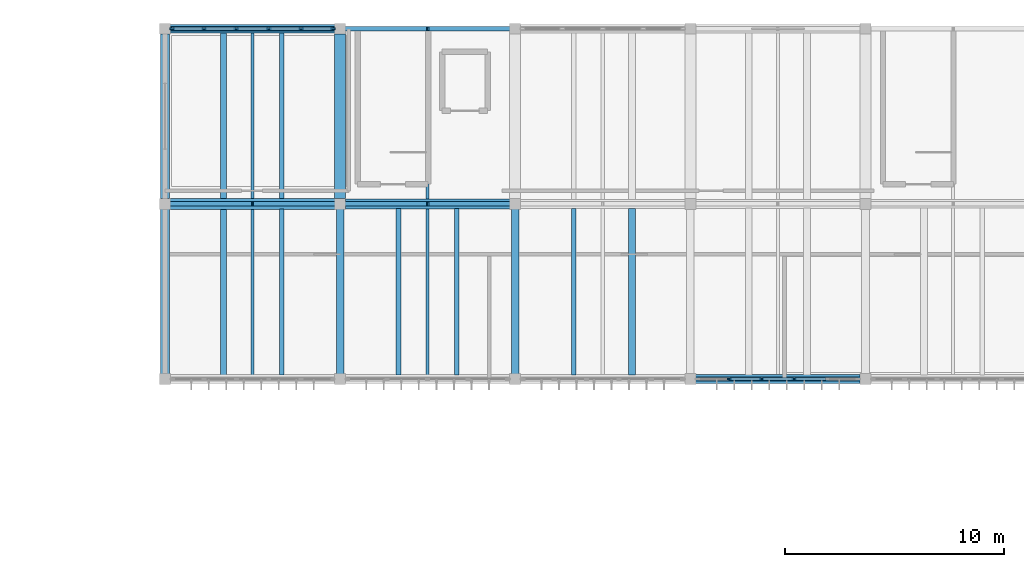
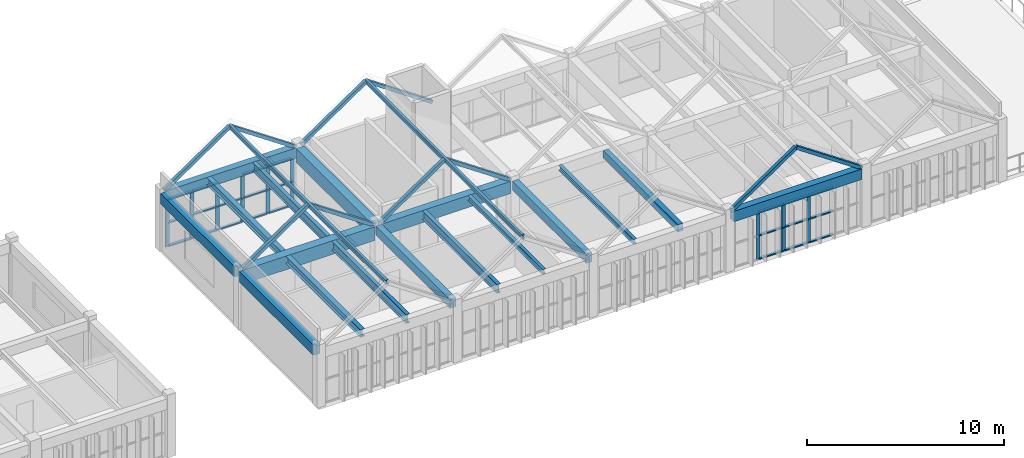
# One storey, part 11 of 31: 45 members, 17 beams, 2 elements without a shape of their own.
"""IFC4 building model written with IfcOpenShell, lengths in metres."""

from ifc_helpers import new_model, si_unit, direction, frame, origin, origin_2d, place, context, subcontext, project, spatial, rectangle, hollow_rectangle, i_section, extrude, material, material_profile, profile_set, type_object, element, aggregate, save


model = new_model("IFC4")

# Units and contexts
model_context = context("Model", 3, precision=1e-05, world=origin(), true_north=direction((0.0, 1.0)))
body_context = subcontext(model_context, "Body", "Model", "MODEL_VIEW")
ifc_project = project(units=[si_unit("LENGTHUNIT", "METRE"), si_unit("AREAUNIT", "SQUARE_METRE"), si_unit("VOLUMEUNIT", "CUBIC_METRE"), si_unit("PLANEANGLEUNIT", "RADIAN"), si_unit("MASSUNIT", "GRAM", prefix="KILO")], contexts=[model_context])

# Site, building, storey
site_placement = place(None, origin())
site = spatial("IfcSite", under=ifc_project, at=site_placement, CompositionType="ELEMENT")
building_placement = place(site_placement, origin())
building = spatial("IfcBuilding", under=site, at=building_placement, Name="Tlaxcora Railside Police Headquarters", CompositionType="ELEMENT")
storey_placement = place(building_placement, frame((0.0, 0.0, 18.0)))
storey = spatial("IfcBuildingStorey", under=building, at=storey_placement, Name="L04", CompositionType="ELEMENT", Elevation=18.0)

# Curtain wall, members
ifc_material_1 = material(Name="Thermally broken low-E insulated glazing", Category="glass")
curtain_wall_type_1 = type_object("IfcCurtainWallType", Name="Unitised Curtain Wall Assembly CW-23", PredefinedType="NOTDEFINED", material=ifc_material_1)
curtain_wall_1_placement = place(storey_placement, origin())
curtain_wall_1 = element("IfcCurtainWall", 1, at=curtain_wall_1_placement, inside=storey, type_object=curtain_wall_type_1, Name="V6 L04 curtain wall 176", PredefinedType="NOTDEFINED")
ifc_material_2 = material(Name="Anodised aluminium framing", Category="aluminium")
ifc_material_profile_1 = material_profile(ifc_material_2, rectangle(XDim=0.080078125, YDim=0.219970703125, at=origin_2d()), Name="AL80X220")
ifc_profile_set_1 = profile_set([ifc_material_profile_1], Name="Anodised aluminium framing")
member_type_1 = type_object("IfcMemberType", Name="Curtain Wall Mullion CW-31", PredefinedType="MULLION", material=ifc_profile_set_1)
member_1_placement = place(storey_placement, frame((110.4599609375, 92.800048828125, 0.0), z_axis=(0.0, 0.0, 1.0), x_axis=(0.0, -1.0, 0.0)))
member_1 = element("IfcMember", 2, at=member_1_placement, type_object=member_type_1, Name="CW mullion 1", PredefinedType="MULLION", context=body_context, shape_type="SweptSolid", body=[
    extrude(rectangle(XDim=0.080078125, YDim=0.219970703125, at=origin_2d()), origin(), (0.0, 0.0, 1.0), 2.9599609375),
])
member_2_placement = place(storey_placement, frame((109.02001953125, 92.800048828125, 0.0), z_axis=(0.0, 0.0, 1.0), x_axis=(0.0, -1.0, 0.0)))
member_2 = element("IfcMember", 3, at=member_2_placement, type_object=member_type_1, Name="CW mullion 2", PredefinedType="MULLION", context=body_context, shape_type="SweptSolid", body=[
    extrude(rectangle(XDim=0.080078125, YDim=0.219970703125, at=origin_2d()), origin(), (0.0, 0.0, 1.0), 2.9599609375),
])
member_3_placement = place(storey_placement, frame((107.5400390625, 92.800048828125, 0.0), z_axis=(0.0, 0.0, 1.0), x_axis=(0.0, -1.0, 0.0)))
member_3 = element("IfcMember", 4, at=member_3_placement, type_object=member_type_1, Name="CW mullion 3", PredefinedType="MULLION", context=body_context, shape_type="SweptSolid", body=[
    extrude(rectangle(XDim=0.080078125, YDim=0.219970703125, at=origin_2d()), origin(), (0.0, 0.0, 1.0), 2.9599609375),
])
member_4_placement = place(storey_placement, frame((106.06005859375, 92.800048828125, 0.0), z_axis=(0.0, 0.0, 1.0), x_axis=(0.0, -1.0, 0.0)))
member_4 = element("IfcMember", 5, at=member_4_placement, type_object=member_type_1, Name="CW mullion 4", PredefinedType="MULLION", context=body_context, shape_type="SweptSolid", body=[
    extrude(rectangle(XDim=0.080078125, YDim=0.219970703125, at=origin_2d()), origin(), (0.0, 0.0, 1.0), 2.9599609375),
])
member_5_placement = place(storey_placement, frame((104.580078125, 92.800048828125, 0.0), z_axis=(0.0, 0.0, 1.0), x_axis=(0.0, -1.0, 0.0)))
member_5 = element("IfcMember", 6, at=member_5_placement, type_object=member_type_1, Name="CW mullion 5", PredefinedType="MULLION", context=body_context, shape_type="SweptSolid", body=[
    extrude(rectangle(XDim=0.080078125, YDim=0.219970703125, at=origin_2d()), origin(), (0.0, 0.0, 1.0), 2.9599609375),
])
member_6_placement = place(storey_placement, frame((103.139892578125, 92.800048828125, 0.0), z_axis=(0.0, 0.0, 1.0), x_axis=(0.0, -1.0, 0.0)))
member_6 = element("IfcMember", 7, at=member_6_placement, type_object=member_type_1, Name="CW mullion 6", PredefinedType="MULLION", context=body_context, shape_type="SweptSolid", body=[
    extrude(rectangle(XDim=0.080078125, YDim=0.219970703125, at=origin_2d()), origin(), (0.0, 0.0, 1.0), 2.9599609375),
])

curtain_wall_type_2 = type_object("IfcCurtainWallType", Name="Unitised Curtain Wall Assembly CW-38", PredefinedType="NOTDEFINED", material=ifc_material_1)
curtain_wall_2_placement = place(storey_placement, origin())
curtain_wall_2 = element("IfcCurtainWall", 8, at=curtain_wall_2_placement, inside=storey, type_object=curtain_wall_type_2, Name="V6 L04 curtain wall 173", PredefinedType="NOTDEFINED")
ifc_material_profile_2 = material_profile(ifc_material_2, rectangle(XDim=0.074951171875, YDim=0.205078125, at=origin_2d()), Name="AL75X205")
ifc_profile_set_2 = profile_set([ifc_material_profile_2], Name="Anodised aluminium framing")
member_type_2 = type_object("IfcMemberType", Name="Curtain Wall Mullion CW-32", PredefinedType="MULLION", material=ifc_profile_set_2)
member_7_placement = place(storey_placement, frame((128.580078125, 76.800048828125, 0.0), z_axis=(0.0, 0.0, 1.0), x_axis=(0.0, 1.0, 0.0)))
member_7 = element("IfcMember", 9, at=member_7_placement, type_object=member_type_2, Name="CW mullion 2", PredefinedType="MULLION", context=body_context, shape_type="SweptSolid", body=[
    extrude(rectangle(XDim=0.074951171875, YDim=0.205078125, at=origin_2d()), origin(), (0.0, 0.0, 1.0), 2.9599609375),
])
member_8_placement = place(storey_placement, frame((130.06005859375, 76.800048828125, 0.0), z_axis=(0.0, 0.0, 1.0), x_axis=(0.0, 1.0, 0.0)))
member_8 = element("IfcMember", 10, at=member_8_placement, type_object=member_type_2, Name="CW mullion 3", PredefinedType="MULLION", context=body_context, shape_type="SweptSolid", body=[
    extrude(rectangle(XDim=0.074951171875, YDim=0.205078125, at=origin_2d()), origin(), (0.0, 0.0, 1.0), 2.9599609375),
])
member_9_placement = place(storey_placement, frame((131.5400390625, 76.800048828125, 0.0), z_axis=(0.0, 0.0, 1.0), x_axis=(0.0, 1.0, 0.0)))
member_9 = element("IfcMember", 11, at=member_9_placement, type_object=member_type_2, Name="CW mullion 4", PredefinedType="MULLION", context=body_context, shape_type="SweptSolid", body=[
    extrude(rectangle(XDim=0.074951171875, YDim=0.205078125, at=origin_2d()), origin(), (0.0, 0.0, 1.0), 2.9599609375),
])
ifc_material_profile_3 = material_profile(ifc_material_2, rectangle(XDim=0.155029296875, YDim=0.074951171875, at=origin_2d()), Name="AL75X155")
ifc_profile_set_3 = profile_set([ifc_material_profile_3], Name="Anodised aluminium framing")
member_type_3 = type_object("IfcMemberType", Name="Curtain Wall Transom CW-30", PredefinedType="USERDEFINED", material=ifc_profile_set_3)
member_10_placement = place(storey_placement, frame((128.617431640625, 76.800048828125, 0.03759765625), z_axis=(1.0, 0.0, 0.0), x_axis=(0.0, 1.0, 0.0)))
member_10 = element("IfcMember", 12, at=member_10_placement, type_object=member_type_3, Name="CW transom 2.1", ObjectType="TRANSOM", PredefinedType="USERDEFINED", context=body_context, shape_type="SweptSolid", body=[
    extrude(rectangle(XDim=0.155029296875, YDim=0.074951171875, at=origin_2d()), origin(), (0.0, 0.0, 1.0), 1.405029296875),
])
member_11_placement = place(storey_placement, frame((128.617431640625, 76.800048828125, 1.489990234375), z_axis=(1.0, 0.0, 0.0), x_axis=(0.0, 1.0, 0.0)))
member_11 = element("IfcMember", 13, at=member_11_placement, type_object=member_type_3, Name="CW transom 2.2", ObjectType="TRANSOM", PredefinedType="USERDEFINED", context=body_context, shape_type="SweptSolid", body=[
    extrude(rectangle(XDim=0.155029296875, YDim=0.074951171875, at=origin_2d()), origin(), (0.0, 0.0, 1.0), 1.405029296875),
])
member_12_placement = place(storey_placement, frame((128.617431640625, 76.800048828125, 2.922607421875), z_axis=(1.0, 0.0, 0.0), x_axis=(0.0, 1.0, 0.0)))
member_12 = element("IfcMember", 14, at=member_12_placement, type_object=member_type_3, Name="CW transom 2.3", ObjectType="TRANSOM", PredefinedType="USERDEFINED", context=body_context, shape_type="SweptSolid", body=[
    extrude(rectangle(XDim=0.155029296875, YDim=0.074951171875, at=origin_2d()), origin(), (0.0, 0.0, 1.0), 1.405029296875),
])
member_13_placement = place(storey_placement, frame((130.097412109375, 76.800048828125, 0.03759765625), z_axis=(1.0, 0.0, 0.0), x_axis=(0.0, 1.0, 0.0)))
member_13 = element("IfcMember", 15, at=member_13_placement, type_object=member_type_3, Name="CW transom 3.1", ObjectType="TRANSOM", PredefinedType="USERDEFINED", context=body_context, shape_type="SweptSolid", body=[
    extrude(rectangle(XDim=0.155029296875, YDim=0.074951171875, at=origin_2d()), origin(), (0.0, 0.0, 1.0), 1.405029296875),
])
member_14_placement = place(storey_placement, frame((130.097412109375, 76.800048828125, 1.489990234375), z_axis=(1.0, 0.0, 0.0), x_axis=(0.0, 1.0, 0.0)))
member_14 = element("IfcMember", 16, at=member_14_placement, type_object=member_type_3, Name="CW transom 3.2", ObjectType="TRANSOM", PredefinedType="USERDEFINED", context=body_context, shape_type="SweptSolid", body=[
    extrude(rectangle(XDim=0.155029296875, YDim=0.074951171875, at=origin_2d()), origin(), (0.0, 0.0, 1.0), 1.405029296875),
])
member_15_placement = place(storey_placement, frame((130.097412109375, 76.800048828125, 2.922607421875), z_axis=(1.0, 0.0, 0.0), x_axis=(0.0, 1.0, 0.0)))
member_15 = element("IfcMember", 17, at=member_15_placement, type_object=member_type_3, Name="CW transom 3.3", ObjectType="TRANSOM", PredefinedType="USERDEFINED", context=body_context, shape_type="SweptSolid", body=[
    extrude(rectangle(XDim=0.155029296875, YDim=0.074951171875, at=origin_2d()), origin(), (0.0, 0.0, 1.0), 1.405029296875),
])
member_16_placement = place(storey_placement, frame((131.577392578125, 76.800048828125, 0.03759765625), z_axis=(1.0, 0.0, 0.0), x_axis=(0.0, 1.0, 0.0)))
member_16 = element("IfcMember", 18, at=member_16_placement, type_object=member_type_3, Name="CW transom 4.1", ObjectType="TRANSOM", PredefinedType="USERDEFINED", context=body_context, shape_type="SweptSolid", body=[
    extrude(rectangle(XDim=0.155029296875, YDim=0.074951171875, at=origin_2d()), origin(), (0.0, 0.0, 1.0), 1.405029296875),
])
member_17_placement = place(storey_placement, frame((131.577392578125, 76.800048828125, 1.489990234375), z_axis=(1.0, 0.0, 0.0), x_axis=(0.0, 1.0, 0.0)))
member_17 = element("IfcMember", 19, at=member_17_placement, type_object=member_type_3, Name="CW transom 4.2", ObjectType="TRANSOM", PredefinedType="USERDEFINED", context=body_context, shape_type="SweptSolid", body=[
    extrude(rectangle(XDim=0.155029296875, YDim=0.074951171875, at=origin_2d()), origin(), (0.0, 0.0, 1.0), 1.405029296875),
])
member_18_placement = place(storey_placement, frame((131.577392578125, 76.800048828125, 2.922607421875), z_axis=(1.0, 0.0, 0.0), x_axis=(0.0, 1.0, 0.0)))
member_18 = element("IfcMember", 20, at=member_18_placement, type_object=member_type_3, Name="CW transom 4.3", ObjectType="TRANSOM", PredefinedType="USERDEFINED", context=body_context, shape_type="SweptSolid", body=[
    extrude(rectangle(XDim=0.155029296875, YDim=0.074951171875, at=origin_2d()), origin(), (0.0, 0.0, 1.0), 1.405029296875),
])
aggregate(curtain_wall_2, [member_7, member_8, member_9, member_10, member_11, member_12, member_13, member_14, member_15, member_16, member_17, member_18])

# Member
ifc_material_profile_4 = material_profile(ifc_material_2, rectangle(XDim=0.1650390625, YDim=0.080078125, at=origin_2d()), Name="AL80X165")
ifc_profile_set_4 = profile_set([ifc_material_profile_4], Name="Anodised aluminium framing")
member_type_4 = type_object("IfcMemberType", Name="Curtain Wall Transom CW-62", PredefinedType="USERDEFINED", material=ifc_profile_set_4)
member_19_placement = place(storey_placement, frame((110.419921875, 92.800048828125, 0.0400390625), z_axis=(-1.0, 0.0, 0.0), x_axis=(0.0, -1.0, 0.0)))
member_19 = element("IfcMember", 21, at=member_19_placement, type_object=member_type_4, Name="CW transom 1.1", ObjectType="TRANSOM", PredefinedType="USERDEFINED", context=body_context, shape_type="SweptSolid", body=[
    extrude(rectangle(XDim=0.1650390625, YDim=0.080078125, at=origin_2d()), origin(), (0.0, 0.0, 1.0), 1.35986328125),
])

member_20_placement = place(storey_placement, frame((110.419921875, 92.800048828125, 1.489990234375), z_axis=(-1.0, 0.0, 0.0), x_axis=(0.0, -1.0, 0.0)))
member_20 = element("IfcMember", 22, at=member_20_placement, type_object=member_type_4, Name="CW transom 1.2", ObjectType="TRANSOM", PredefinedType="USERDEFINED", context=body_context, shape_type="SweptSolid", body=[
    extrude(rectangle(XDim=0.1650390625, YDim=0.080078125, at=origin_2d()), origin(), (0.0, 0.0, 1.0), 1.35986328125),
])

member_21_placement = place(storey_placement, frame((110.419921875, 92.800048828125, 2.919921875), z_axis=(-1.0, 0.0, 0.0), x_axis=(0.0, -1.0, 0.0)))
member_21 = element("IfcMember", 23, at=member_21_placement, type_object=member_type_4, Name="CW transom 1.3", ObjectType="TRANSOM", PredefinedType="USERDEFINED", context=body_context, shape_type="SweptSolid", body=[
    extrude(rectangle(XDim=0.1650390625, YDim=0.080078125, at=origin_2d()), origin(), (0.0, 0.0, 1.0), 1.35986328125),
])

member_22_placement = place(storey_placement, frame((108.97998046875, 92.800048828125, 0.0400390625), z_axis=(-1.0, 0.0, 0.0), x_axis=(0.0, -1.0, 0.0)))
member_22 = element("IfcMember", 24, at=member_22_placement, type_object=member_type_4, Name="CW transom 2.1", ObjectType="TRANSOM", PredefinedType="USERDEFINED", context=body_context, shape_type="SweptSolid", body=[
    extrude(rectangle(XDim=0.1650390625, YDim=0.080078125, at=origin_2d()), origin(), (0.0, 0.0, 1.0), 1.39990234375),
])

member_23_placement = place(storey_placement, frame((108.97998046875, 92.800048828125, 1.489990234375), z_axis=(-1.0, 0.0, 0.0), x_axis=(0.0, -1.0, 0.0)))
member_23 = element("IfcMember", 25, at=member_23_placement, type_object=member_type_4, Name="CW transom 2.2", ObjectType="TRANSOM", PredefinedType="USERDEFINED", context=body_context, shape_type="SweptSolid", body=[
    extrude(rectangle(XDim=0.1650390625, YDim=0.080078125, at=origin_2d()), origin(), (0.0, 0.0, 1.0), 1.39990234375),
])

member_24_placement = place(storey_placement, frame((108.97998046875, 92.800048828125, 2.919921875), z_axis=(-1.0, 0.0, 0.0), x_axis=(0.0, -1.0, 0.0)))
member_24 = element("IfcMember", 26, at=member_24_placement, type_object=member_type_4, Name="CW transom 2.3", ObjectType="TRANSOM", PredefinedType="USERDEFINED", context=body_context, shape_type="SweptSolid", body=[
    extrude(rectangle(XDim=0.1650390625, YDim=0.080078125, at=origin_2d()), origin(), (0.0, 0.0, 1.0), 1.39990234375),
])

member_25_placement = place(storey_placement, frame((107.5, 92.800048828125, 0.0400390625), z_axis=(-1.0, 0.0, 0.0), x_axis=(0.0, -1.0, 0.0)))
member_25 = element("IfcMember", 27, at=member_25_placement, type_object=member_type_4, Name="CW transom 3.1", ObjectType="TRANSOM", PredefinedType="USERDEFINED", context=body_context, shape_type="SweptSolid", body=[
    extrude(rectangle(XDim=0.1650390625, YDim=0.080078125, at=origin_2d()), origin(), (0.0, 0.0, 1.0), 1.39990234375),
])

member_26_placement = place(storey_placement, frame((107.5, 92.800048828125, 1.489990234375), z_axis=(-1.0, 0.0, 0.0), x_axis=(0.0, -1.0, 0.0)))
member_26 = element("IfcMember", 28, at=member_26_placement, type_object=member_type_4, Name="CW transom 3.2", ObjectType="TRANSOM", PredefinedType="USERDEFINED", context=body_context, shape_type="SweptSolid", body=[
    extrude(rectangle(XDim=0.1650390625, YDim=0.080078125, at=origin_2d()), origin(), (0.0, 0.0, 1.0), 1.39990234375),
])

member_27_placement = place(storey_placement, frame((107.5, 92.800048828125, 2.919921875), z_axis=(-1.0, 0.0, 0.0), x_axis=(0.0, -1.0, 0.0)))
member_27 = element("IfcMember", 29, at=member_27_placement, type_object=member_type_4, Name="CW transom 3.3", ObjectType="TRANSOM", PredefinedType="USERDEFINED", context=body_context, shape_type="SweptSolid", body=[
    extrude(rectangle(XDim=0.1650390625, YDim=0.080078125, at=origin_2d()), origin(), (0.0, 0.0, 1.0), 1.39990234375),
])

member_28_placement = place(storey_placement, frame((106.02001953125, 92.800048828125, 0.0400390625), z_axis=(-1.0, 0.0, 0.0), x_axis=(0.0, -1.0, 0.0)))
member_28 = element("IfcMember", 30, at=member_28_placement, type_object=member_type_4, Name="CW transom 4.1", ObjectType="TRANSOM", PredefinedType="USERDEFINED", context=body_context, shape_type="SweptSolid", body=[
    extrude(rectangle(XDim=0.1650390625, YDim=0.080078125, at=origin_2d()), origin(), (0.0, 0.0, 1.0), 1.39990234375),
])

member_29_placement = place(storey_placement, frame((106.02001953125, 92.800048828125, 1.489990234375), z_axis=(-1.0, 0.0, 0.0), x_axis=(0.0, -1.0, 0.0)))
member_29 = element("IfcMember", 31, at=member_29_placement, type_object=member_type_4, Name="CW transom 4.2", ObjectType="TRANSOM", PredefinedType="USERDEFINED", context=body_context, shape_type="SweptSolid", body=[
    extrude(rectangle(XDim=0.1650390625, YDim=0.080078125, at=origin_2d()), origin(), (0.0, 0.0, 1.0), 1.39990234375),
])

member_30_placement = place(storey_placement, frame((106.02001953125, 92.800048828125, 2.919921875), z_axis=(-1.0, 0.0, 0.0), x_axis=(0.0, -1.0, 0.0)))
member_30 = element("IfcMember", 32, at=member_30_placement, type_object=member_type_4, Name="CW transom 4.3", ObjectType="TRANSOM", PredefinedType="USERDEFINED", context=body_context, shape_type="SweptSolid", body=[
    extrude(rectangle(XDim=0.1650390625, YDim=0.080078125, at=origin_2d()), origin(), (0.0, 0.0, 1.0), 1.39990234375),
])

member_31_placement = place(storey_placement, frame((104.5400390625, 92.800048828125, 0.0400390625), z_axis=(-1.0, 0.0, 0.0), x_axis=(0.0, -1.0, 0.0)))
member_31 = element("IfcMember", 33, at=member_31_placement, type_object=member_type_4, Name="CW transom 5.1", ObjectType="TRANSOM", PredefinedType="USERDEFINED", context=body_context, shape_type="SweptSolid", body=[
    extrude(rectangle(XDim=0.1650390625, YDim=0.080078125, at=origin_2d()), origin(), (0.0, 0.0, 1.0), 1.360107421875),
])

member_32_placement = place(storey_placement, frame((104.5400390625, 92.800048828125, 1.489990234375), z_axis=(-1.0, 0.0, 0.0), x_axis=(0.0, -1.0, 0.0)))
member_32 = element("IfcMember", 34, at=member_32_placement, type_object=member_type_4, Name="CW transom 5.2", ObjectType="TRANSOM", PredefinedType="USERDEFINED", context=body_context, shape_type="SweptSolid", body=[
    extrude(rectangle(XDim=0.1650390625, YDim=0.080078125, at=origin_2d()), origin(), (0.0, 0.0, 1.0), 1.360107421875),
])

member_33_placement = place(storey_placement, frame((104.5400390625, 92.800048828125, 2.919921875), z_axis=(-1.0, 0.0, 0.0), x_axis=(0.0, -1.0, 0.0)))
member_33 = element("IfcMember", 35, at=member_33_placement, type_object=member_type_4, Name="CW transom 5.3", ObjectType="TRANSOM", PredefinedType="USERDEFINED", context=body_context, shape_type="SweptSolid", body=[
    extrude(rectangle(XDim=0.1650390625, YDim=0.080078125, at=origin_2d()), origin(), (0.0, 0.0, 1.0), 1.360107421875),
])

aggregate(curtain_wall_1, [member_1, member_2, member_3, member_4, member_5, member_6, member_19, member_20, member_21, member_22, member_23, member_24, member_25, member_26, member_27, member_28, member_29, member_30, member_31, member_32, member_33])

# Members
ifc_material_3 = material(Name="Steel ASTM A992 Grade 50", Category="steel")
ifc_material_profile_5 = material_profile(ifc_material_3, hollow_rectangle(XDim=0.199951171875, YDim=0.199951171875, WallThickness=0.010009765625, at=origin_2d()), Name="HSS200X200X10")
ifc_profile_set_5 = profile_set([ifc_material_profile_5], Name="Steel ASTM A992 Grade 50")
member_type_5 = type_object("IfcMemberType", Name="Diagonal Brace Member MB-51", PredefinedType="BRACE", material=ifc_profile_set_5)
member_34_placement = place(storey_placement, frame((102.949951171875, 84.800048828125, 3.580078125), z_axis=(0.826746068504, 0.0, 0.562575273375), x_axis=(0.0, 1.0, 0.0)))
element("IfcMember", 36, at=member_34_placement, inside=storey, type_object=member_type_5, Name="V6 rafter 1W", PredefinedType="BRACE", context=body_context, shape_type="SweptSolid", body=[
    extrude(hollow_rectangle(XDim=0.199951171875, YDim=0.199951171875, WallThickness=0.010009765625, at=origin_2d()), origin(), (0.0, 0.0, 1.0), 4.656982421875),
])
member_35_placement = place(storey_placement, frame((110.64990234375, 84.800048828125, 3.580078125), z_axis=(-0.826729475311, 0.0, 0.562599657529), x_axis=(0.0, -1.0, 0.0)))
element("IfcMember", 37, at=member_35_placement, inside=storey, type_object=member_type_5, Name="V6 rafter 1E", PredefinedType="BRACE", context=body_context, shape_type="SweptSolid", body=[
    extrude(hollow_rectangle(XDim=0.199951171875, YDim=0.199951171875, WallThickness=0.010009765625, at=origin_2d()), origin(), (0.0, 0.0, 1.0), 4.65673828125),
])
member_36_placement = place(storey_placement, frame((102.949951171875, 92.800048828125, 3.580078125), z_axis=(0.826746068504, 0.0, 0.562575273375), x_axis=(0.0, 1.0, 0.0)))
element("IfcMember", 38, at=member_36_placement, inside=storey, type_object=member_type_5, Name="V6 rafter 1W", PredefinedType="BRACE", context=body_context, shape_type="SweptSolid", body=[
    extrude(hollow_rectangle(XDim=0.199951171875, YDim=0.199951171875, WallThickness=0.010009765625, at=origin_2d()), origin(), (0.0, 0.0, 1.0), 4.656982421875),
])
member_37_placement = place(storey_placement, frame((110.64990234375, 92.800048828125, 3.580078125), z_axis=(-0.826729475311, 0.0, 0.562599657529), x_axis=(0.0, -1.0, 0.0)))
element("IfcMember", 39, at=member_37_placement, inside=storey, type_object=member_type_5, Name="V6 rafter 1E", PredefinedType="BRACE", context=body_context, shape_type="SweptSolid", body=[
    extrude(hollow_rectangle(XDim=0.199951171875, YDim=0.199951171875, WallThickness=0.010009765625, at=origin_2d()), origin(), (0.0, 0.0, 1.0), 4.65673828125),
])
member_38_placement = place(storey_placement, frame((110.949951171875, 84.800048828125, 3.580078125), z_axis=(0.826746068504, 0.0, 0.562575273375), x_axis=(0.0, 1.0, 0.0)))
element("IfcMember", 40, at=member_38_placement, inside=storey, type_object=member_type_5, Name="V6 rafter 2W", PredefinedType="BRACE", context=body_context, shape_type="SweptSolid", body=[
    extrude(hollow_rectangle(XDim=0.199951171875, YDim=0.199951171875, WallThickness=0.010009765625, at=origin_2d()), origin(), (0.0, 0.0, 1.0), 4.656982421875),
])
member_39_placement = place(storey_placement, frame((118.64990234375, 84.800048828125, 3.580078125), z_axis=(-0.826729475311, 0.0, 0.562599657529), x_axis=(0.0, -1.0, 0.0)))
element("IfcMember", 41, at=member_39_placement, inside=storey, type_object=member_type_5, Name="V6 rafter 2E", PredefinedType="BRACE", context=body_context, shape_type="SweptSolid", body=[
    extrude(hollow_rectangle(XDim=0.199951171875, YDim=0.199951171875, WallThickness=0.010009765625, at=origin_2d()), origin(), (0.0, 0.0, 1.0), 4.65673828125),
])
member_40_placement = place(storey_placement, frame((110.949951171875, 92.800048828125, 3.580078125), z_axis=(0.826746068504, 0.0, 0.562575273375), x_axis=(0.0, 1.0, 0.0)))
element("IfcMember", 42, at=member_40_placement, inside=storey, type_object=member_type_5, Name="V6 rafter 2W", PredefinedType="BRACE", context=body_context, shape_type="SweptSolid", body=[
    extrude(hollow_rectangle(XDim=0.199951171875, YDim=0.199951171875, WallThickness=0.010009765625, at=origin_2d()), origin(), (0.0, 0.0, 1.0), 4.656982421875),
])
member_41_placement = place(storey_placement, frame((118.64990234375, 92.800048828125, 3.580078125), z_axis=(-0.826729475311, 0.0, 0.562599657529), x_axis=(0.0, -1.0, 0.0)))
element("IfcMember", 43, at=member_41_placement, inside=storey, type_object=member_type_5, Name="V6 rafter 2E", PredefinedType="BRACE", context=body_context, shape_type="SweptSolid", body=[
    extrude(hollow_rectangle(XDim=0.199951171875, YDim=0.199951171875, WallThickness=0.010009765625, at=origin_2d()), origin(), (0.0, 0.0, 1.0), 4.65673828125),
])
member_42_placement = place(storey_placement, frame((126.949951171875, 76.800048828125, 3.580078125), z_axis=(0.826746068504, 0.0, 0.562575273375), x_axis=(0.0, 1.0, 0.0)))
element("IfcMember", 44, at=member_42_placement, inside=storey, type_object=member_type_5, Name="V6 rafter 4W", PredefinedType="BRACE", context=body_context, shape_type="SweptSolid", body=[
    extrude(hollow_rectangle(XDim=0.199951171875, YDim=0.199951171875, WallThickness=0.010009765625, at=origin_2d()), origin(), (0.0, 0.0, 1.0), 4.656982421875),
])
member_43_placement = place(storey_placement, frame((134.64990234375, 76.800048828125, 3.580078125), z_axis=(-0.826729475311, 0.0, 0.562599657529), x_axis=(0.0, -1.0, 0.0)))
element("IfcMember", 45, at=member_43_placement, inside=storey, type_object=member_type_5, Name="V6 rafter 4E", PredefinedType="BRACE", context=body_context, shape_type="SweptSolid", body=[
    extrude(hollow_rectangle(XDim=0.199951171875, YDim=0.199951171875, WallThickness=0.010009765625, at=origin_2d()), origin(), (0.0, 0.0, 1.0), 4.65673828125),
])

# Beams
ifc_material_4 = material(Name="Concrete C40/50", Category="concrete")
ifc_material_profile_6 = material_profile(ifc_material_4, rectangle(XDim=0.39990234375, YDim=0.64990234375, at=origin_2d()), Name="RC400X650")
ifc_profile_set_6 = profile_set([ifc_material_profile_6], Name="Concrete C40/50")
beam_type_1 = type_object("IfcBeamType", Name="Perimeter Spandrel Beam BM-46", PredefinedType="SPANDREL", material=ifc_profile_set_6)
for number, where, z_axis, x_axis, name in (
    (46, (127.0400390625, 76.800048828125, 3.304931640625), (1.0, 0.0, 0.0), (0.0, 1.0, 0.0), "V6 L04 X-girder Y=76.8"),
    (47, (103.0400390625, 92.800048828125, 3.304931640625), (1.0, 0.0, 0.0), (0.0, 1.0, 0.0), "V6 L04 X-girder Y=92.8"),
    (48, (102.800048828125, 77.0400390625, 3.304931640625), (0.0, 1.0, 0.0), (-1.0, 0.0, 0.0), "V6 L04 Y-girder X=102.8"),
    (49, (102.800048828125, 85.0400390625, 3.304931640625), (0.0, 1.0, 0.0), (-1.0, 0.0, 0.0), "V6 L04 Y-girder X=102.8"),
):
    element("IfcBeam", number, at=place(storey_placement, frame(where, z_axis=z_axis, x_axis=x_axis)), inside=storey, type_object=beam_type_1, Name=name, PredefinedType="SPANDREL", context=body_context, shape_type="SweptSolid", body=[
        extrude(rectangle(XDim=0.39990234375, YDim=0.64990234375, at=origin_2d()), origin(), (0.0, 0.0, 1.0), 7.52001953125),
    ])
ifc_material_profile_7 = material_profile(ifc_material_4, rectangle(XDim=0.35009765625, YDim=0.550048828125, at=origin_2d()), Name="RC350X550")
ifc_profile_set_7 = profile_set([ifc_material_profile_7], Name="Concrete C40/50")
beam_type_2 = type_object("IfcBeamType", Name="Primary Frame Girder BM-39", PredefinedType="BEAM", material=ifc_profile_set_7)
for number, where, z_axis, x_axis, name in (
    (50, (110.800048828125, 77.0400390625, 3.35498046875), (0.0, 1.0, 0.0), (-1.0, 0.0, 0.0), "V6 L04 Y-girder X=110.8"),
    (51, (118.800048828125, 77.0400390625, 3.35498046875), (0.0, 1.0, 0.0), (-1.0, 0.0, 0.0), "V6 L04 Y-girder X=118.8"),
):
    element("IfcBeam", number, at=place(storey_placement, frame(where, z_axis=z_axis, x_axis=x_axis)), inside=storey, type_object=beam_type_2, Name=name, PredefinedType="BEAM", context=body_context, shape_type="SweptSolid", body=[
        extrude(rectangle(XDim=0.35009765625, YDim=0.550048828125, at=origin_2d()), origin(), (0.0, 0.0, 1.0), 7.52001953125),
    ])
ifc_material_profile_8 = material_profile(ifc_material_4, rectangle(XDim=0.5, YDim=0.85009765625, at=origin_2d()), Name="RC500X850")
ifc_profile_set_8 = profile_set([ifc_material_profile_8], Name="Concrete C40/50")
beam_type_3 = type_object("IfcBeamType", Name="Primary Frame Girder BM-64", PredefinedType="BEAM", material=ifc_profile_set_8)
for number, where, z_axis, x_axis, name in (
    (52, (103.0400390625, 84.800048828125, 3.205078125), (1.0, 0.0, 0.0), (0.0, 1.0, 0.0), "V6 L04 X-girder Y=84.8"),
    (53, (110.800048828125, 85.0400390625, 3.205078125), (0.0, 1.0, 0.0), (-1.0, 0.0, 0.0), "V6 L04 Y-girder X=110.8"),
):
    element("IfcBeam", number, at=place(storey_placement, frame(where, z_axis=z_axis, x_axis=x_axis)), inside=storey, type_object=beam_type_3, Name=name, PredefinedType="BEAM", context=body_context, shape_type="SweptSolid", body=[
        extrude(rectangle(XDim=0.5, YDim=0.85009765625, at=origin_2d()), origin(), (0.0, 0.0, 1.0), 7.52001953125),
    ])
ifc_material_profile_9 = material_profile(ifc_material_4, rectangle(XDim=0.449951171875, YDim=0.75, at=origin_2d()), Name="RC450X750")
ifc_profile_set_9 = profile_set([ifc_material_profile_9], Name="Concrete C40/50")
beam_type_4 = type_object("IfcBeamType", Name="Primary Frame Girder BM-73", PredefinedType="BEAM", material=ifc_profile_set_9)
beam_1_placement = place(storey_placement, frame((111.0400390625, 84.800048828125, 3.2548828125), z_axis=(1.0, 0.0, 0.0), x_axis=(0.0, 1.0, 0.0)))
element("IfcBeam", 54, at=beam_1_placement, inside=storey, type_object=beam_type_4, Name="V6 L04 X-girder Y=84.8", PredefinedType="BEAM", context=body_context, shape_type="SweptSolid", body=[
    extrude(rectangle(XDim=0.449951171875, YDim=0.75, at=origin_2d()), origin(), (0.0, 0.0, 1.0), 7.52001953125),
])

# Members
ifc_material_profile_10 = material_profile(ifc_material_3, i_section(OverallWidth=0.14599609375, OverallDepth=0.258056640625, WebThickness=0.006103515625, FlangeThickness=0.009033203125, at=origin_2d()), Name="W10X22")
ifc_profile_set_10 = profile_set([ifc_material_profile_10], Name="Steel ASTM A992 Grade 50")
member_type_6 = type_object("IfcMemberType", Name="Roof Purlin Member MB-93", PredefinedType="PURLIN", material=ifc_profile_set_10)
for number, where, z_axis, x_axis, name in (
    (55, (106.800048828125, 76.800048828125, 6.199951171875), (0.0, 1.0, 0.0), (-1.0, 0.0, 0.0), "V6 northlight ridge purlin 1"),
    (56, (114.800048828125, 76.800048828125, 6.199951171875), (0.0, 1.0, 0.0), (-1.0, 0.0, 0.0), "V6 northlight ridge purlin 2"),
):
    element("IfcMember", number, at=place(storey_placement, frame(where, z_axis=z_axis, x_axis=x_axis)), inside=storey, type_object=member_type_6, Name=name, PredefinedType="PURLIN", context=body_context, shape_type="SweptSolid", body=[
        extrude(i_section(OverallWidth=0.14599609375, OverallDepth=0.258056640625, WebThickness=0.006103515625, FlangeThickness=0.009033203125, at=origin_2d()), origin(), (0.0, 0.0, 1.0), 16.0),
    ])

# Beams
ifc_material_5 = material(Name="Concrete C35/45", Category="concrete")
ifc_material_profile_11 = material_profile(ifc_material_5, rectangle(XDim=0.300048828125, YDim=0.449951171875, at=origin_2d()), Name="RC300X450")
ifc_profile_set_11 = profile_set([ifc_material_profile_11], Name="Concrete C35/45")
beam_type_5 = type_object("IfcBeamType", Name="Secondary Floor Joist BM-27", PredefinedType="JOIST", material=ifc_profile_set_11)
beam_2_placement = place(storey_placement, frame((124.13330078125, 76.991943359375, 3.405029296875), z_axis=(0.0, 1.0, 0.0), x_axis=(-1.0, 0.0, 0.0)))
element("IfcBeam", 57, at=beam_2_placement, inside=storey, type_object=beam_type_5, Name="V6 L04 floor joist X=124.13", PredefinedType="JOIST", context=body_context, shape_type="SweptSolid", body=[
    extrude(rectangle(XDim=0.300048828125, YDim=0.449951171875, at=origin_2d()), origin(), (0.0, 0.0, 1.0), 7.60595703125),
])
ifc_material_profile_12 = material_profile(ifc_material_3, i_section(OverallWidth=0.280029296875, OverallDepth=0.4619140625, WebThickness=0.0107421875, FlangeThickness=0.017333984375, at=origin_2d()), Name="W18X76")
ifc_profile_set_12 = profile_set([ifc_material_profile_12], Name="Steel ASTM A992 Grade 50")
beam_type_6 = type_object("IfcBeamType", Name="Secondary Floor Joist BM-44", PredefinedType="JOIST", material=ifc_profile_set_12)
beam_3_placement = place(storey_placement, frame((105.466796875, 76.991943359375, 3.39892578125), z_axis=(0.0, 1.0, 0.0), x_axis=(-1.0, 0.0, 0.0)))
element("IfcBeam", 58, at=beam_3_placement, inside=storey, type_object=beam_type_6, Name="V6 L04 floor joist X=105.47", PredefinedType="JOIST", context=body_context, shape_type="SweptSolid", body=[
    extrude(i_section(OverallWidth=0.280029296875, OverallDepth=0.4619140625, WebThickness=0.0107421875, FlangeThickness=0.017333984375, at=origin_2d()), origin(), (0.0, 0.0, 1.0), 7.566162109375),
])
beam_4_placement = place(storey_placement, frame((105.466796875, 85.0419921875, 3.39892578125), z_axis=(0.0, 1.0, 0.0), x_axis=(-1.0, 0.0, 0.0)))
element("IfcBeam", 59, at=beam_4_placement, inside=storey, type_object=beam_type_6, Name="V6 L04 floor joist X=105.47", PredefinedType="JOIST", context=body_context, shape_type="SweptSolid", body=[
    extrude(i_section(OverallWidth=0.280029296875, OverallDepth=0.4619140625, WebThickness=0.0107421875, FlangeThickness=0.017333984375, at=origin_2d()), origin(), (0.0, 0.0, 1.0), 7.56591796875),
])
ifc_material_profile_13 = material_profile(ifc_material_3, i_section(OverallWidth=0.202880859375, OverallDepth=0.302978515625, WebThickness=0.007568359375, FlangeThickness=0.01318359375, at=origin_2d()), Name="W12X40")
ifc_profile_set_13 = profile_set([ifc_material_profile_13], Name="Steel ASTM A992 Grade 50")
beam_type_7 = type_object("IfcBeamType", Name="Secondary Floor Joist BM-96", PredefinedType="JOIST", material=ifc_profile_set_13)
beam_5_placement = place(storey_placement, frame((116.13330078125, 76.991943359375, 3.478515625), z_axis=(0.0, 1.0, 0.0), x_axis=(-1.0, 0.0, 0.0)))
element("IfcBeam", 60, at=beam_5_placement, inside=storey, type_object=beam_type_7, Name="V6 L04 floor joist X=116.13", PredefinedType="JOIST", context=body_context, shape_type="SweptSolid", body=[
    extrude(i_section(OverallWidth=0.202880859375, OverallDepth=0.302978515625, WebThickness=0.007568359375, FlangeThickness=0.01318359375, at=origin_2d()), origin(), (0.0, 0.0, 1.0), 7.591064453125),
])
beam_6_placement = place(storey_placement, frame((121.466796875, 76.991943359375, 3.478515625), z_axis=(0.0, 1.0, 0.0), x_axis=(-1.0, 0.0, 0.0)))
element("IfcBeam", 61, at=beam_6_placement, inside=storey, type_object=beam_type_7, Name="V6 L04 floor joist X=121.47", PredefinedType="JOIST", context=body_context, shape_type="SweptSolid", body=[
    extrude(i_section(OverallWidth=0.202880859375, OverallDepth=0.302978515625, WebThickness=0.007568359375, FlangeThickness=0.01318359375, at=origin_2d()), origin(), (0.0, 0.0, 1.0), 7.60595703125),
])
ifc_material_profile_14 = material_profile(ifc_material_3, i_section(OverallWidth=0.214111328125, OverallDepth=0.549072265625, WebThickness=0.0146484375, FlangeThickness=0.023681640625, at=origin_2d()), Name="W21X93")
ifc_profile_set_14 = profile_set([ifc_material_profile_14], Name="Steel ASTM A992 Grade 50")
beam_type_8 = type_object("IfcBeamType", Name="Secondary Floor Joist BM-97", PredefinedType="JOIST", material=ifc_profile_set_14)
beam_7_placement = place(storey_placement, frame((108.13330078125, 76.991943359375, 3.35546875), z_axis=(0.0, 1.0, 0.0), x_axis=(-1.0, 0.0, 0.0)))
element("IfcBeam", 62, at=beam_7_placement, inside=storey, type_object=beam_type_8, Name="V6 L04 floor joist X=108.13", PredefinedType="JOIST", context=body_context, shape_type="SweptSolid", body=[
    extrude(i_section(OverallWidth=0.214111328125, OverallDepth=0.549072265625, WebThickness=0.0146484375, FlangeThickness=0.023681640625, at=origin_2d()), origin(), (0.0, 0.0, 1.0), 7.566162109375),
])
beam_8_placement = place(storey_placement, frame((113.466796875, 76.991943359375, 3.35546875), z_axis=(0.0, 1.0, 0.0), x_axis=(-1.0, 0.0, 0.0)))
element("IfcBeam", 63, at=beam_8_placement, inside=storey, type_object=beam_type_8, Name="V6 L04 floor joist X=113.47", PredefinedType="JOIST", context=body_context, shape_type="SweptSolid", body=[
    extrude(i_section(OverallWidth=0.214111328125, OverallDepth=0.549072265625, WebThickness=0.0146484375, FlangeThickness=0.023681640625, at=origin_2d()), origin(), (0.0, 0.0, 1.0), 7.591064453125),
])
beam_9_placement = place(storey_placement, frame((108.13330078125, 85.0419921875, 3.35546875), z_axis=(0.0, 1.0, 0.0), x_axis=(-1.0, 0.0, 0.0)))
element("IfcBeam", 64, at=beam_9_placement, inside=storey, type_object=beam_type_8, Name="V6 L04 floor joist X=108.13", PredefinedType="JOIST", context=body_context, shape_type="SweptSolid", body=[
    extrude(i_section(OverallWidth=0.214111328125, OverallDepth=0.549072265625, WebThickness=0.0146484375, FlangeThickness=0.023681640625, at=origin_2d()), origin(), (0.0, 0.0, 1.0), 7.56591796875),
])

save(model, "model.ifc")
